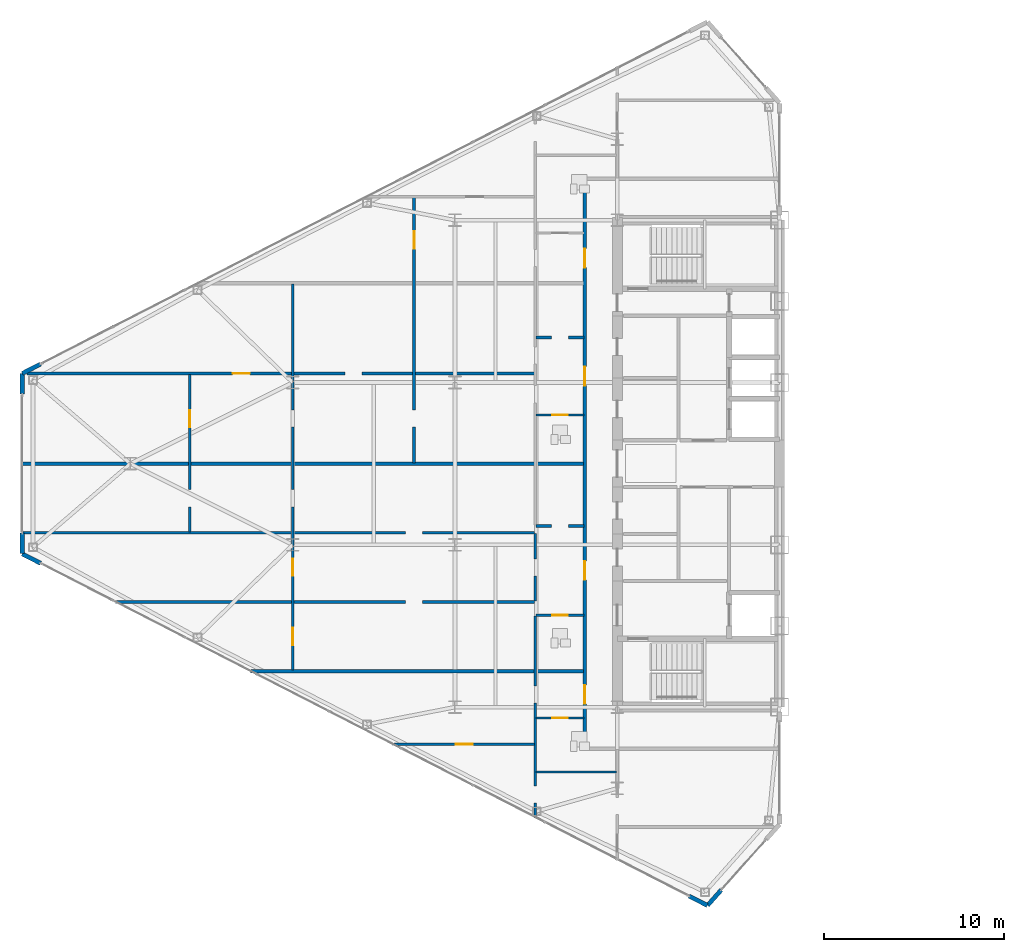
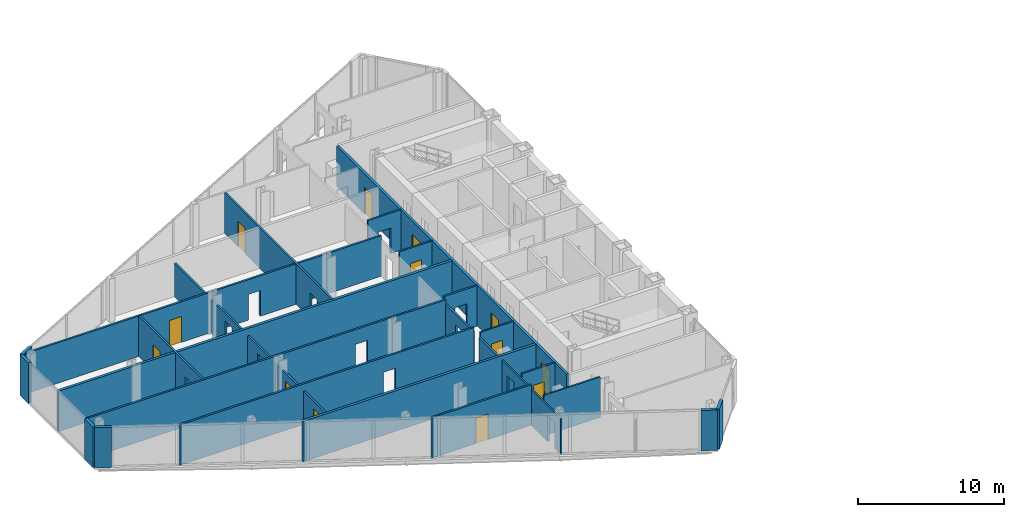
# One storey, part 15 of 23: 24 walls, 13 doors, 25 openings.
"""IFC4 building model written with IfcOpenShell, lengths in metres."""

from ifc_helpers import new_model, si_unit, direction, frame, frame_2d, origin, place, context, subcontext, project, spatial, rectangle, extrude, source, transform, mapped, material, layer, layer_set, type_object, type_shapes, element, fill, save


model = new_model("IFC4")

# Units and contexts
model_context = context("Model", 3, precision=1e-05, world=origin(), true_north=direction((0.0, 1.0)))
body_context = subcontext(model_context, "Body", "Model", "MODEL_VIEW")
ifc_project = project(units=[si_unit("LENGTHUNIT", "METRE"), si_unit("AREAUNIT", "SQUARE_METRE"), si_unit("VOLUMEUNIT", "CUBIC_METRE"), si_unit("PLANEANGLEUNIT", "RADIAN"), si_unit("MASSUNIT", "GRAM", prefix="KILO")], contexts=[model_context])

# Site, building, storey
site_placement = place(None, origin())
site = spatial("IfcSite", under=ifc_project, at=site_placement, CompositionType="ELEMENT")
building_placement = place(site_placement, origin())
building = spatial("IfcBuilding", under=site, at=building_placement, Name="Seokmaru Belvedere", CompositionType="ELEMENT")
storey_placement = place(building_placement, frame((0.0, 0.0, 147.60009765625)))
storey = spatial("IfcBuildingStorey", under=building, at=storey_placement, Name="L39", CompositionType="ELEMENT", Elevation=147.60009765625)

# Wall, opening, door
ifc_material_1 = material(Name="Fire-Rated Gypsum Shaftwall")
ifc_layer_1 = layer(ifc_material_1, 0.14990234375)
ifc_layer_set_1 = layer_set([ifc_layer_1], Name="Fire-Rated Gypsum Shaftwall")
wall_type_1 = type_object("IfcWallType", Name="Apartment Fire-Acoustic Room Partition 150", PredefinedType="PARTITIONING", material=ifc_layer_set_1)
wall_1_placement = place(storey_placement, frame((-48.97705078125, -15.550048828125, 0.0), z_axis=(0.0, 0.0, 1.0), x_axis=(1.0, 0.0, 0.0)))
wall_1 = element("IfcWall", 1, at=wall_1_placement, inside=storey, type_object=wall_type_1, Name="L39 Interior Partition 005", PredefinedType="PARTITIONING", context=body_context, shape_type="SweptSolid", body=[
    extrude(rectangle(XDim=7.876953125, YDim=0.14990234375, at=frame_2d((3.9384765625, 0.0))), origin(), (0.0, 0.0, 1.0), 3.3798828125),
])
opening_1_placement = place(wall_1_placement, frame((3.506103515625, 0.0, 0.0)))
opening_1 = element("IfcOpeningElement", 2, at=opening_1_placement, cuts=wall_1, Name="Opening D05", PredefinedType="OPENING", context=body_context, shape_type="SweptSolid", body=[
    extrude(rectangle(XDim=0.949951171875, YDim=2.14990234375, at=frame_2d((0.47509765625, 1.074951171875))), frame((0.0, 0.0849609375, 0.0), z_axis=(0.0, -1.0, 0.0), x_axis=(1.0, 0.0, 0.0)), (0.0, 0.0, 1.0), 0.169921875),
])
ifc_material_2 = material(Name="Engineered White Oak Timber", Category="wood")
door_type_1 = type_object("IfcDoorType", Name="Apartment Interior Fire-Rated Oak Door 950x2150", OperationType="NOTDEFINED", PredefinedType="DOOR", material=ifc_material_2)
shared_shape_1 = source(origin(), body_context, "Body", "SweptSolid", [
    extrude(rectangle(XDim=0.949951171875, YDim=2.14990234375, at=frame_2d((0.47509765625, 1.074951171875))), frame((0.0, 0.02490234375, 0.0), z_axis=(0.0, -1.0, 0.0), x_axis=(1.0, 0.0, 0.0)), (0.0, 0.0, 1.0), 0.050048828125),
])
type_shapes(door_type_1, [shared_shape_1])
door_1_placement = place(opening_1_placement, origin())
door_1 = element("IfcDoor", 3, at=door_1_placement, inside=storey, type_object=door_type_1, Name="L39 Interior Door 004", OperationType="SINGLE_SWING_RIGHT", OverallHeight=2.14990234375, OverallWidth=0.949951171875, PredefinedType="DOOR", context=body_context, shape_type="MappedRepresentation", body=[
    mapped(shared_shape_1, transform((0.0, 0.0, 0.0), scale=1.0)),
])
fill(opening_1, door_1)

# Wall, opening
wall_2_placement = place(storey_placement, frame((-64.337890625, -7.669921875, 0.0), z_axis=(0.0, 0.0, 1.0), x_axis=(1.0, 0.0, 0.0)))
wall_2 = element("IfcWall", 4, at=wall_2_placement, inside=storey, type_object=wall_type_1, Name="L39 Interior Partition 012", PredefinedType="PARTITIONING", context=body_context, shape_type="SweptSolid", body=[
    extrude(rectangle(XDim=23.23779296875, YDim=0.14990234375, at=frame_2d((11.618896484375, 0.0))), origin(), (0.0, 0.0, 1.0), 3.3798828125),
])
opening_2_placement = place(wall_2_placement, frame((16.087890625, 0.0, 0.0)))
element("IfcOpeningElement", 5, at=opening_2_placement, cuts=wall_2, Name="L39 Cased Opening 013", PredefinedType="OPENING", context=body_context, shape_type="SweptSolid", body=[
    extrude(rectangle(XDim=0.949951171875, YDim=2.14990234375, at=frame_2d((0.47509765625, 1.074951171875))), frame((0.0, 0.0849609375, 0.0), z_axis=(0.0, -1.0, 0.0), x_axis=(1.0, 0.0, 0.0)), (0.0, 0.0, 1.0), 0.169921875),
])

wall_3_placement = place(storey_placement, frame((-69.534912109375, -3.830078125, 0.0), z_axis=(0.0, 0.0, 1.0), x_axis=(1.0, 0.0, 0.0)))
wall_3 = element("IfcWall", 6, at=wall_3_placement, inside=storey, type_object=wall_type_1, Name="L39 Interior Partition 015", PredefinedType="PARTITIONING", context=body_context, shape_type="SweptSolid", body=[
    extrude(rectangle(XDim=28.434814453125, YDim=0.14990234375, at=frame_2d((14.21728515625, 0.0))), origin(), (0.0, 0.0, 1.0), 3.3798828125),
])
opening_3_placement = place(wall_3_placement, frame((21.284912109375, 0.0, 0.0)))
element("IfcOpeningElement", 7, at=opening_3_placement, cuts=wall_3, Name="L39 Cased Opening 014", PredefinedType="OPENING", context=body_context, shape_type="SweptSolid", body=[
    extrude(rectangle(XDim=0.949951171875, YDim=2.14990234375, at=frame_2d((0.47509765625, 1.074951171875))), frame((0.0, 0.0849609375, 0.0), z_axis=(0.0, -1.0, 0.0), x_axis=(1.0, 0.0, 0.0)), (0.0, 0.0, 1.0), 0.169921875),
])

wall_4_placement = place(storey_placement, frame((-41.0, -3.449951171875, 0.0), z_axis=(0.0, 0.0, 1.0), x_axis=(1.0, 0.0, 0.0)))
wall_4 = element("IfcWall", 8, at=wall_4_placement, inside=storey, type_object=wall_type_1, Name="L39 Interior Partition 016", PredefinedType="PARTITIONING", context=body_context, shape_type="SweptSolid", body=[
    extrude(rectangle(XDim=2.64990234375, YDim=0.14990234375, at=frame_2d((1.324951171875, 0.0))), origin(), (0.0, 0.0, 1.0), 3.3798828125),
])
opening_4_placement = place(wall_4_placement, frame((0.85009765625, 0.0, 0.0)))
element("IfcOpeningElement", 9, at=opening_4_placement, cuts=wall_4, Name="L39 Cased Opening 010", PredefinedType="OPENING", context=body_context, shape_type="SweptSolid", body=[
    extrude(rectangle(XDim=0.949951171875, YDim=2.14990234375, at=frame_2d((0.47509765625, 1.074951171875))), frame((0.0, 0.0849609375, 0.0), z_axis=(0.0, -1.0, 0.0), x_axis=(1.0, 0.0, 0.0)), (0.0, 0.0, 1.0), 0.169921875),
])

# Wall, openings, door
wall_5_placement = place(storey_placement, frame((-69.226318359375, 5.0, 0.0), z_axis=(0.0, 0.0, 1.0), x_axis=(1.0, 0.0, 0.0)))
wall_5 = element("IfcWall", 10, at=wall_5_placement, inside=storey, type_object=wall_type_1, Name="L39 Interior Partition 022", PredefinedType="PARTITIONING", context=body_context, shape_type="SweptSolid", body=[
    extrude(rectangle(XDim=28.126220703125, YDim=0.14990234375, at=frame_2d((14.06298828125, 0.0))), origin(), (0.0, 0.0, 1.0), 3.3798828125),
])
opening_5_placement = place(wall_5_placement, frame((11.4013671875, 0.0, 0.0)))
opening_5 = element("IfcOpeningElement", 11, at=opening_5_placement, cuts=wall_5, Name="Opening D05", PredefinedType="OPENING", context=body_context, shape_type="SweptSolid", body=[
    extrude(rectangle(XDim=0.949951171875, YDim=2.14990234375, at=frame_2d((0.47509765625, 1.074951171875))), frame((0.0, 0.0849609375, 0.0), z_axis=(0.0, -1.0, 0.0), x_axis=(1.0, 0.0, 0.0)), (0.0, 0.0, 1.0), 0.169921875),
])
opening_6_placement = place(wall_5_placement, frame((17.61376953125, 0.0, 0.0)))
element("IfcOpeningElement", 12, at=opening_6_placement, cuts=wall_5, Name="L39 Cased Opening 027", PredefinedType="OPENING", context=body_context, shape_type="SweptSolid", body=[
    extrude(rectangle(XDim=0.949951171875, YDim=2.14990234375, at=frame_2d((0.47509765625, 1.074951171875))), frame((0.0, 0.0849609375, 0.0), z_axis=(0.0, -1.0, 0.0), x_axis=(1.0, 0.0, 0.0)), (0.0, 0.0, 1.0), 0.169921875),
])
door_2_placement = place(opening_5_placement, origin())
door_2 = element("IfcDoor", 13, at=door_2_placement, inside=storey, type_object=door_type_1, Name="L39 Interior Door 026", OperationType="SINGLE_SWING_RIGHT", OverallHeight=2.14990234375, OverallWidth=0.949951171875, PredefinedType="DOOR", context=body_context, shape_type="MappedRepresentation", body=[
    mapped(shared_shape_1, transform((0.0, 0.0, 0.0), scale=1.0)),
])
fill(opening_5, door_2)

# Wall, opening
wall_6_placement = place(storey_placement, frame((-41.0, 7.0, 0.0), z_axis=(0.0, 0.0, 1.0), x_axis=(1.0, 0.0, 0.0)))
wall_6 = element("IfcWall", 14, at=wall_6_placement, inside=storey, type_object=wall_type_1, Name="L39 Interior Partition 025", PredefinedType="PARTITIONING", context=body_context, shape_type="SweptSolid", body=[
    extrude(rectangle(XDim=2.64990234375, YDim=0.14990234375, at=frame_2d((1.324951171875, 0.0))), origin(), (0.0, 0.0, 1.0), 3.3798828125),
])
opening_7_placement = place(wall_6_placement, frame((0.85009765625, 0.0, 0.0)))
element("IfcOpeningElement", 15, at=opening_7_placement, cuts=wall_6, Name="L39 Cased Opening 020", PredefinedType="OPENING", context=body_context, shape_type="SweptSolid", body=[
    extrude(rectangle(XDim=0.949951171875, YDim=2.14990234375, at=frame_2d((0.47509765625, 1.074951171875))), frame((0.0, 0.0849609375, 0.0), z_axis=(0.0, -1.0, 0.0), x_axis=(1.0, 0.0, 0.0)), (0.0, 0.0, 1.0), 0.169921875),
])

# Wall, openings, door
wall_7_placement = place(storey_placement, frame((-60.199951171875, -3.782958984375, 0.0), z_axis=(0.0, 0.0, 1.0), x_axis=(0.0, 1.0, 0.0)))
wall_7 = element("IfcWall", 16, at=wall_7_placement, inside=storey, type_object=wall_type_1, Name="L39 Interior Partition 034", PredefinedType="PARTITIONING", context=body_context, shape_type="SweptSolid", body=[
    extrude(rectangle(XDim=8.73291015625, YDim=0.14990234375, at=frame_2d((4.366455078125, 0.0))), origin(), (0.0, 0.0, 1.0), 3.3798828125),
])
opening_8_placement = place(wall_7_placement, frame((1.391357421875, 0.0, 0.0)))
element("IfcOpeningElement", 17, at=opening_8_placement, cuts=wall_7, Name="L39 Cased Opening 017", PredefinedType="OPENING", context=body_context, shape_type="SweptSolid", body=[
    extrude(rectangle(XDim=0.949951171875, YDim=2.14990234375, at=frame_2d((0.47509765625, 1.074951171875))), frame((0.0, 0.0849609375, 0.0), z_axis=(0.0, -1.0, 0.0), x_axis=(1.0, 0.0, 0.0)), (0.0, 0.0, 1.0), 0.169921875),
])
opening_9_placement = place(wall_7_placement, frame((5.80810546875, 0.0, 0.0)))
opening_9 = element("IfcOpeningElement", 18, at=opening_9_placement, cuts=wall_7, Name="Opening D05", PredefinedType="OPENING", context=body_context, shape_type="SweptSolid", body=[
    extrude(rectangle(XDim=0.949951171875, YDim=2.14990234375, at=frame_2d((0.47509765625, 1.074951171875))), frame((0.0, 0.0849609375, 0.0), z_axis=(0.0, -1.0, 0.0), x_axis=(1.0, 0.0, 0.0)), (0.0, 0.0, 1.0), 0.169921875),
])
door_3_placement = place(opening_9_placement, origin())
door_3 = element("IfcDoor", 19, at=door_3_placement, inside=storey, type_object=door_type_1, Name="L39 Interior Door 025", OperationType="SINGLE_SWING_RIGHT", OverallHeight=2.14990234375, OverallWidth=0.949951171875, PredefinedType="DOOR", context=body_context, shape_type="MappedRepresentation", body=[
    mapped(shared_shape_1, transform((0.0, 0.0, 0.0), scale=1.0)),
])
fill(opening_9, door_3)

# Wall, openings, doors
wall_8_placement = place(storey_placement, frame((-54.5, -11.449951171875, 0.0), z_axis=(0.0, 0.0, 1.0), x_axis=(0.0, 1.0, 0.0)))
wall_8 = element("IfcWall", 20, at=wall_8_placement, inside=storey, type_object=wall_type_1, Name="L39 Interior Partition 035", PredefinedType="PARTITIONING", context=body_context, shape_type="SweptSolid", body=[
    extrude(rectangle(XDim=21.39990234375, YDim=0.14990234375, at=frame_2d((10.699951171875, 0.0))), origin(), (0.0, 0.0, 1.0), 2.77978515625),
])
opening_10_placement = place(wall_8_placement, frame((5.22509765625, 0.0, 0.0)))
opening_10 = element("IfcOpeningElement", 21, at=opening_10_placement, cuts=wall_8, Name="Opening D05", PredefinedType="OPENING", context=body_context, shape_type="SweptSolid", body=[
    extrude(rectangle(XDim=0.949951171875, YDim=2.14990234375, at=frame_2d((0.47509765625, 1.074951171875))), frame((0.0, 0.0849609375, 0.0), z_axis=(0.0, -1.0, 0.0), x_axis=(1.0, 0.0, 0.0)), (0.0, 0.0, 1.0), 0.169921875),
])
opening_11_placement = place(wall_8_placement, frame((1.3916015625, 0.0, 0.0)))
opening_11 = element("IfcOpeningElement", 22, at=opening_11_placement, cuts=wall_8, Name="Opening D05", PredefinedType="OPENING", context=body_context, shape_type="SweptSolid", body=[
    extrude(rectangle(XDim=0.949951171875, YDim=2.14990234375, at=frame_2d((0.47509765625, 1.074951171875))), frame((0.0, 0.0849609375, 0.0), z_axis=(0.0, -1.0, 0.0), x_axis=(1.0, 0.0, 0.0)), (0.0, 0.0, 1.0), 0.169921875),
])
opening_12_placement = place(wall_8_placement, frame((9.058349609375, 0.0, 0.0)))
element("IfcOpeningElement", 23, at=opening_12_placement, cuts=wall_8, Name="L39 Cased Opening 016", PredefinedType="OPENING", context=body_context, shape_type="SweptSolid", body=[
    extrude(rectangle(XDim=0.949951171875, YDim=2.14990234375, at=frame_2d((0.47509765625, 1.074951171875))), frame((0.0, 0.0849609375, 0.0), z_axis=(0.0, -1.0, 0.0), x_axis=(1.0, 0.0, 0.0)), (0.0, 0.0, 1.0), 0.169921875),
])
opening_13_placement = place(wall_8_placement, frame((13.47509765625, 0.0, 0.0)))
element("IfcOpeningElement", 24, at=opening_13_placement, cuts=wall_8, Name="L39 Cased Opening 024", PredefinedType="OPENING", context=body_context, shape_type="SweptSolid", body=[
    extrude(rectangle(XDim=0.949951171875, YDim=2.14990234375, at=frame_2d((0.47509765625, 1.074951171875))), frame((0.0, 0.0849609375, 0.0), z_axis=(0.0, -1.0, 0.0), x_axis=(1.0, 0.0, 0.0)), (0.0, 0.0, 1.0), 0.169921875),
])
door_4_placement = place(opening_10_placement, origin())
door_4 = element("IfcDoor", 25, at=door_4_placement, inside=storey, type_object=door_type_1, Name="L39 Interior Door 012", OperationType="SINGLE_SWING_LEFT", OverallHeight=2.14990234375, OverallWidth=0.949951171875, PredefinedType="DOOR", context=body_context, shape_type="MappedRepresentation", body=[
    mapped(shared_shape_1, transform((0.0, 0.0, 0.0), scale=1.0)),
])
fill(opening_10, door_4)
door_5_placement = place(opening_11_placement, origin())
door_5 = element("IfcDoor", 26, at=door_5_placement, inside=storey, type_object=door_type_1, Name="L39 Interior Door 015", OperationType="SINGLE_SWING_LEFT", OverallHeight=2.14990234375, OverallWidth=0.949951171875, PredefinedType="DOOR", context=body_context, shape_type="MappedRepresentation", body=[
    mapped(shared_shape_1, transform((0.0, 0.0, 0.0), scale=1.0)),
])
fill(opening_11, door_5)

# Wall, openings, door
wall_9_placement = place(storey_placement, frame((-47.77001953125, 0.050048828125, 0.0), z_axis=(0.0, 0.0, 1.0), x_axis=(0.0, 1.0, 0.0)))
wall_9 = element("IfcWall", 27, at=wall_9_placement, inside=storey, type_object=wall_type_1, Name="L39 Interior Partition 036", PredefinedType="PARTITIONING", context=body_context, shape_type="SweptSolid", body=[
    extrude(rectangle(XDim=14.699951171875, YDim=0.14990234375, at=frame_2d((7.35009765625, 0.0))), origin(), (0.0, 0.0, 1.0), 3.3798828125),
])
opening_14_placement = place(wall_9_placement, frame((1.97509765625, 0.0, 0.0)))
element("IfcOpeningElement", 28, at=opening_14_placement, cuts=wall_9, Name="L39 Cased Opening 023", PredefinedType="OPENING", context=body_context, shape_type="SweptSolid", body=[
    extrude(rectangle(XDim=0.949951171875, YDim=2.14990234375, at=frame_2d((0.47509765625, 1.074951171875))), frame((0.0, 0.0849609375, 0.0), z_axis=(0.0, -1.0, 0.0), x_axis=(1.0, 0.0, 0.0)), (0.0, 0.0, 1.0), 0.169921875),
])
opening_15_placement = place(wall_9_placement, frame((11.874755859375, 0.0, 0.0)))
opening_15 = element("IfcOpeningElement", 29, at=opening_15_placement, cuts=wall_9, Name="Opening D05", PredefinedType="OPENING", context=body_context, shape_type="SweptSolid", body=[
    extrude(rectangle(XDim=0.949951171875, YDim=2.14990234375, at=frame_2d((0.47509765625, 1.074951171875))), frame((0.0, 0.0849609375, 0.0), z_axis=(0.0, -1.0, 0.0), x_axis=(1.0, 0.0, 0.0)), (0.0, 0.0, 1.0), 0.169921875),
])
door_6_placement = place(opening_15_placement, origin())
door_6 = element("IfcDoor", 30, at=door_6_placement, inside=storey, type_object=door_type_1, Name="L39 Interior Door 031", OperationType="SINGLE_SWING_RIGHT", OverallHeight=2.14990234375, OverallWidth=0.949951171875, PredefinedType="DOOR", context=body_context, shape_type="MappedRepresentation", body=[
    mapped(shared_shape_1, transform((0.0, 0.0, 0.0), scale=1.0)),
])
fill(opening_15, door_6)

# Wall, opening
wall_10_placement = place(storey_placement, frame((-41.050048828125, -7.616943359375, 0.0), z_axis=(0.0, 0.0, 1.0), x_axis=(0.0, 1.0, 0.0)))
wall_10 = element("IfcWall", 31, at=wall_10_placement, inside=storey, type_object=wall_type_1, Name="L39 Interior Partition 038", PredefinedType="PARTITIONING", context=body_context, shape_type="SweptSolid", body=[
    extrude(rectangle(XDim=3.73388671875, YDim=0.14990234375, at=frame_2d((1.866943359375, 0.0))), origin(), (0.0, 0.0, 1.0), 2.989990234375),
])
opening_16_placement = place(wall_10_placement, frame((1.39208984375, 0.0, 0.0)))
element("IfcOpeningElement", 32, at=opening_16_placement, cuts=wall_10, Name="L39 Cased Opening 011", PredefinedType="OPENING", context=body_context, shape_type="SweptSolid", body=[
    extrude(rectangle(XDim=0.949951171875, YDim=2.14990234375, at=frame_2d((0.47509765625, 1.074951171875))), frame((0.0, 0.0849609375, 0.0), z_axis=(0.0, -1.0, 0.0), x_axis=(1.0, 0.0, 0.0)), (0.0, 0.0, 1.0), 0.169921875),
])

# Walls
ifc_layer_2 = layer(ifc_material_1, 0.199951171875)
ifc_layer_set_2 = layer_set([ifc_layer_2], Name="Fire-Rated Gypsum Shaftwall")
wall_type_2 = type_object("IfcWallType", Name="Inter-Tenancy Fire Compartment Partition 200", PredefinedType="PARTITIONING", material=ifc_layer_set_2)
wall_11_placement = place(storey_placement, frame((-56.843994140625, -11.5, 0.0), z_axis=(0.0, 0.0, 1.0), x_axis=(1.0, 0.0, 0.0)))
element("IfcWall", 33, at=wall_11_placement, inside=storey, type_object=wall_type_2, Name="L39 Interior Partition 007", PredefinedType="PARTITIONING", context=body_context, shape_type="SweptSolid", body=[
    extrude(rectangle(XDim=18.464111328125, YDim=0.199951171875, at=frame_2d((9.23193359375, 0.0))), origin(), (0.0, 0.0, 1.0), 3.3798828125),
])
wall_12_placement = place(storey_placement, frame((-69.5048828125, 0.0, 0.0), z_axis=(0.0, 0.0, 1.0), x_axis=(1.0, 0.0, 0.0)))
element("IfcWall", 34, at=wall_12_placement, inside=storey, type_object=wall_type_2, Name="L39 Interior Partition 018", PredefinedType="PARTITIONING", context=body_context, shape_type="SweptSolid", body=[
    extrude(rectangle(XDim=31.125, YDim=0.199951171875, at=frame_2d((15.5625, 0.0))), origin(), (0.0, 0.0, 1.0), 3.3798828125),
])

# Wall, openings, doors
wall_13_placement = place(storey_placement, frame((-38.300048828125, -15.715087890625, 0.0), z_axis=(0.0, 0.0, 1.0), x_axis=(0.0, 1.0, 0.0)))
wall_13 = element("IfcWall", 35, at=wall_13_placement, inside=storey, type_object=wall_type_2, Name="L39 Interior Partition 040", PredefinedType="PARTITIONING", context=body_context, shape_type="SweptSolid", body=[
    extrude(rectangle(XDim=31.43017578125, YDim=0.199951171875, at=frame_2d((15.715087890625, 0.0))), origin(), (0.0, 0.0, 1.0), 3.3798828125),
])
opening_17_placement = place(wall_13_placement, frame((2.389892578125, 0.0, 0.0)))
opening_17 = element("IfcOpeningElement", 36, at=opening_17_placement, cuts=wall_13, Name="Opening D03", PredefinedType="OPENING", context=body_context, shape_type="SweptSolid", body=[
    extrude(rectangle(XDim=1.050048828125, YDim=2.25, at=frame_2d((0.52490234375, 1.125))), frame((0.0, 0.10986328125, 0.0), z_axis=(0.0, -1.0, 0.0), x_axis=(1.0, 0.0, 0.0)), (0.0, 0.0, 1.0), 0.219970703125),
])
opening_18_placement = place(wall_13_placement, frame((9.267578125, 0.0, 0.0)))
opening_18 = element("IfcOpeningElement", 37, at=opening_18_placement, cuts=wall_13, Name="Opening D03", PredefinedType="OPENING", context=body_context, shape_type="SweptSolid", body=[
    extrude(rectangle(XDim=1.050048828125, YDim=2.25, at=frame_2d((0.52490234375, 1.125))), frame((0.0, 0.10986328125, 0.0), z_axis=(0.0, -1.0, 0.0), x_axis=(1.0, 0.0, 0.0)), (0.0, 0.0, 1.0), 0.219970703125),
])
opening_19_placement = place(wall_13_placement, frame((20.0400390625, 0.0, 0.0)))
opening_19 = element("IfcOpeningElement", 38, at=opening_19_placement, cuts=wall_13, Name="Opening D03", PredefinedType="OPENING", context=body_context, shape_type="SweptSolid", body=[
    extrude(rectangle(XDim=1.050048828125, YDim=2.25, at=frame_2d((0.52490234375, 1.125))), frame((0.0, 0.10986328125, 0.0), z_axis=(0.0, -1.0, 0.0), x_axis=(1.0, 0.0, 0.0)), (0.0, 0.0, 1.0), 0.219970703125),
])
opening_20_placement = place(wall_13_placement, frame((26.58740234375, 0.0, 0.0)))
opening_20 = element("IfcOpeningElement", 39, at=opening_20_placement, cuts=wall_13, Name="Opening D03", PredefinedType="OPENING", context=body_context, shape_type="SweptSolid", body=[
    extrude(rectangle(XDim=1.050048828125, YDim=2.25, at=frame_2d((0.52490234375, 1.125))), frame((0.0, 0.10986328125, 0.0), z_axis=(0.0, -1.0, 0.0), x_axis=(1.0, 0.0, 0.0)), (0.0, 0.0, 1.0), 0.219970703125),
])
ifc_material_3 = material(Name="Fire-Rated Steel Leaf", Category="steel")
door_type_2 = type_object("IfcDoorType", Name="Apartment Entrance Fire Door 1050x2250", OperationType="NOTDEFINED", PredefinedType="DOOR", material=ifc_material_3)
shared_shape_2 = source(origin(), body_context, "Body", "SweptSolid", [
    extrude(rectangle(XDim=1.050048828125, YDim=2.25, at=frame_2d((0.52490234375, 1.125))), frame((0.0, 0.02490234375, 0.0), z_axis=(0.0, -1.0, 0.0), x_axis=(1.0, 0.0, 0.0)), (0.0, 0.0, 1.0), 0.050048828125),
])
type_shapes(door_type_2, [shared_shape_2])
door_7_placement = place(opening_17_placement, origin())
door_7 = element("IfcDoor", 40, at=door_7_placement, inside=storey, type_object=door_type_2, Name="L39 Interior Door 001", OperationType="SINGLE_SWING_RIGHT", OverallHeight=2.25, OverallWidth=1.050048828125, PredefinedType="DOOR", context=body_context, shape_type="MappedRepresentation", body=[
    mapped(shared_shape_2, transform((0.0, 0.0, 0.0), scale=1.0)),
])
fill(opening_17, door_7)
door_8_placement = place(opening_18_placement, origin())
door_8 = element("IfcDoor", 41, at=door_8_placement, inside=storey, type_object=door_type_2, Name="L39 Interior Door 008", OperationType="SINGLE_SWING_LEFT", OverallHeight=2.25, OverallWidth=1.050048828125, PredefinedType="DOOR", context=body_context, shape_type="MappedRepresentation", body=[
    mapped(shared_shape_2, transform((0.0, 0.0, 0.0), scale=1.0)),
])
fill(opening_18, door_8)
door_9_placement = place(opening_19_placement, origin())
door_9 = element("IfcDoor", 42, at=door_9_placement, inside=storey, type_object=door_type_2, Name="L39 Interior Door 018", OperationType="SINGLE_SWING_RIGHT", OverallHeight=2.25, OverallWidth=1.050048828125, PredefinedType="DOOR", context=body_context, shape_type="MappedRepresentation", body=[
    mapped(shared_shape_2, transform((0.0, 0.0, 0.0), scale=1.0)),
])
fill(opening_19, door_9)
door_10_placement = place(opening_20_placement, origin())
door_10 = element("IfcDoor", 43, at=door_10_placement, inside=storey, type_object=door_type_2, Name="L39 Interior Door 028", OperationType="SINGLE_SWING_LEFT", OverallHeight=2.25, OverallWidth=1.050048828125, PredefinedType="DOOR", context=body_context, shape_type="MappedRepresentation", body=[
    mapped(shared_shape_2, transform((0.0, 0.0, 0.0), scale=1.0)),
])
fill(opening_20, door_10)

# Wall
ifc_layer_3 = layer(ifc_material_1, 0.1298828125)
ifc_layer_set_3 = layer_set([ifc_layer_3], Name="Fire-Rated Gypsum Shaftwall")
wall_type_3 = type_object("IfcWallType", Name="Moisture-Resistant Fire-Rated Bathroom Partition 130", PredefinedType="PARTITIONING", material=ifc_layer_set_3)
wall_14_placement = place(storey_placement, frame((-41.0, -17.10009765625, 0.0), z_axis=(0.0, 0.0, 1.0), x_axis=(1.0, 0.0, 0.0)))
element("IfcWall", 44, at=wall_14_placement, inside=storey, type_object=wall_type_3, Name="L39 Interior Partition 002", PredefinedType="PARTITIONING", context=body_context, shape_type="SweptSolid", body=[
    extrude(rectangle(XDim=4.449951171875, YDim=0.1298828125, at=frame_2d((2.22509765625, 0.0))), origin(), (0.0, 0.0, 1.0), 3.3798828125),
])

# Wall, opening, door
wall_15_placement = place(storey_placement, frame((-41.0, -14.10009765625, 0.0), z_axis=(0.0, 0.0, 1.0), x_axis=(1.0, 0.0, 0.0)))
wall_15 = element("IfcWall", 45, at=wall_15_placement, inside=storey, type_object=wall_type_3, Name="L39 Interior Partition 006", PredefinedType="PARTITIONING", context=body_context, shape_type="SweptSolid", body=[
    extrude(rectangle(XDim=2.64990234375, YDim=0.1298828125, at=frame_2d((1.324951171875, 0.0))), origin(), (0.0, 0.0, 1.0), 3.3798828125),
])
opening_21_placement = place(wall_15_placement, frame((0.885009765625, 0.0, 0.0)))
opening_21 = element("IfcOpeningElement", 46, at=opening_21_placement, cuts=wall_15, Name="Opening D06", PredefinedType="OPENING", context=body_context, shape_type="SweptSolid", body=[
    extrude(rectangle(XDim=0.8798828125, YDim=2.10009765625, at=frame_2d((0.43994140625, 1.050048828125))), frame((0.0, 0.074951171875, 0.0), z_axis=(0.0, -1.0, 0.0), x_axis=(1.0, 0.0, 0.0)), (0.0, 0.0, 1.0), 0.14990234375),
])
door_type_3 = type_object("IfcDoorType", Name="Bathroom and Restroom Fire-Rated Door 880x2100", OperationType="NOTDEFINED", PredefinedType="DOOR", material=ifc_material_2)
shared_shape_3 = source(origin(), body_context, "Body", "SweptSolid", [
    extrude(rectangle(XDim=0.8798828125, YDim=2.10009765625, at=frame_2d((0.43994140625, 1.050048828125))), frame((0.0, 0.02490234375, 0.0), z_axis=(0.0, -1.0, 0.0), x_axis=(1.0, 0.0, 0.0)), (0.0, 0.0, 1.0), 0.050048828125),
])
type_shapes(door_type_3, [shared_shape_3])
door_11_placement = place(opening_21_placement, origin())
door_11 = element("IfcDoor", 47, at=door_11_placement, inside=storey, type_object=door_type_3, Name="L39 Interior Door 002", OperationType="SINGLE_SWING_LEFT", OverallHeight=2.10009765625, OverallWidth=0.8798828125, PredefinedType="DOOR", context=body_context, shape_type="MappedRepresentation", body=[
    mapped(shared_shape_3, transform((0.0, 0.0, 0.0), scale=1.0)),
])
fill(opening_21, door_11)

wall_16_placement = place(storey_placement, frame((-41.0, -8.39990234375, 0.0), z_axis=(0.0, 0.0, 1.0), x_axis=(1.0, 0.0, 0.0)))
wall_16 = element("IfcWall", 48, at=wall_16_placement, inside=storey, type_object=wall_type_3, Name="L39 Interior Partition 010", PredefinedType="PARTITIONING", context=body_context, shape_type="SweptSolid", body=[
    extrude(rectangle(XDim=2.64990234375, YDim=0.1298828125, at=frame_2d((1.324951171875, 0.0))), origin(), (0.0, 0.0, 1.0), 3.3798828125),
])
opening_22_placement = place(wall_16_placement, frame((0.885009765625, 0.0, 0.0)))
opening_22 = element("IfcOpeningElement", 49, at=opening_22_placement, cuts=wall_16, Name="Opening D06", PredefinedType="OPENING", context=body_context, shape_type="SweptSolid", body=[
    extrude(rectangle(XDim=0.8798828125, YDim=2.10009765625, at=frame_2d((0.43994140625, 1.050048828125))), frame((0.0, 0.074951171875, 0.0), z_axis=(0.0, -1.0, 0.0), x_axis=(1.0, 0.0, 0.0)), (0.0, 0.0, 1.0), 0.14990234375),
])
door_12_placement = place(opening_22_placement, origin())
door_12 = element("IfcDoor", 50, at=door_12_placement, inside=storey, type_object=door_type_3, Name="L39 Interior Door 009", OperationType="SINGLE_SWING_LEFT", OverallHeight=2.10009765625, OverallWidth=0.8798828125, PredefinedType="DOOR", context=body_context, shape_type="MappedRepresentation", body=[
    mapped(shared_shape_3, transform((0.0, 0.0, 0.0), scale=1.0)),
])
fill(opening_22, door_12)

wall_17_placement = place(storey_placement, frame((-41.0, 2.699951171875, 0.0), z_axis=(0.0, 0.0, 1.0), x_axis=(1.0, 0.0, 0.0)))
wall_17 = element("IfcWall", 51, at=wall_17_placement, inside=storey, type_object=wall_type_3, Name="L39 Interior Partition 021", PredefinedType="PARTITIONING", context=body_context, shape_type="SweptSolid", body=[
    extrude(rectangle(XDim=2.64990234375, YDim=0.1298828125, at=frame_2d((1.324951171875, 0.0))), origin(), (0.0, 0.0, 1.0), 3.3798828125),
])
opening_23_placement = place(wall_17_placement, frame((0.885009765625, 0.0, 0.0)))
opening_23 = element("IfcOpeningElement", 52, at=opening_23_placement, cuts=wall_17, Name="Opening D06", PredefinedType="OPENING", context=body_context, shape_type="SweptSolid", body=[
    extrude(rectangle(XDim=0.8798828125, YDim=2.10009765625, at=frame_2d((0.43994140625, 1.050048828125))), frame((0.0, 0.074951171875, 0.0), z_axis=(0.0, -1.0, 0.0), x_axis=(1.0, 0.0, 0.0)), (0.0, 0.0, 1.0), 0.14990234375),
])
door_13_placement = place(opening_23_placement, origin())
door_13 = element("IfcDoor", 53, at=door_13_placement, inside=storey, type_object=door_type_3, Name="L39 Interior Door 019", OperationType="SINGLE_SWING_LEFT", OverallHeight=2.10009765625, OverallWidth=0.8798828125, PredefinedType="DOOR", context=body_context, shape_type="MappedRepresentation", body=[
    mapped(shared_shape_3, transform((0.0, 0.0, 0.0), scale=1.0)),
])
fill(opening_23, door_13)

# Wall, openings
wall_18_placement = place(storey_placement, frame((-41.050048828125, -19.634033203125, 0.0), z_axis=(0.0, 0.0, 1.0), x_axis=(0.0, 1.0, 0.0)))
wall_18 = element("IfcWall", 54, at=wall_18_placement, inside=storey, type_object=wall_type_3, Name="L39 Interior Partition 037", PredefinedType="PARTITIONING", context=body_context, shape_type="SweptSolid", body=[
    extrude(rectangle(XDim=11.18701171875, YDim=0.1298828125, at=frame_2d((5.593505859375, 0.0))), origin(), (0.0, 0.0, 1.0), 2.989990234375),
])
opening_24_placement = place(wall_18_placement, frame((6.35888671875, 0.0, 0.0)))
element("IfcOpeningElement", 55, at=opening_24_placement, cuts=wall_18, Name="L39 Cased Opening 003", PredefinedType="OPENING", context=body_context, shape_type="SweptSolid", body=[
    extrude(rectangle(XDim=0.949951171875, YDim=2.14990234375, at=frame_2d((0.47509765625, 1.074951171875))), frame((0.0, 0.074951171875, 0.0), z_axis=(0.0, -1.0, 0.0), x_axis=(1.0, 0.0, 0.0)), (0.0, 0.0, 1.0), 0.14990234375),
])
opening_25_placement = place(wall_18_placement, frame((0.809326171875, 0.0, 0.0)))
element("IfcOpeningElement", 56, at=opening_25_placement, cuts=wall_18, Name="L39 Cased Opening 005", PredefinedType="OPENING", context=body_context, shape_type="SweptSolid", body=[
    extrude(rectangle(XDim=0.949951171875, YDim=2.14990234375, at=frame_2d((0.47509765625, 1.074951171875))), frame((0.0, 0.074951171875, 0.0), z_axis=(0.0, -1.0, 0.0), x_axis=(1.0, 0.0, 0.0)), (0.0, 0.0, 1.0), 0.14990234375),
])

# Walls
ifc_material_4 = material(Name="Anodised Bronze Aluminium", Category="aluminium")
ifc_layer_4 = layer(ifc_material_4, 0.239990234375)
ifc_layer_set_4 = layer_set([ifc_layer_4], Name="Anodised Bronze Aluminium")
wall_type_4 = type_object("IfcWallType", Name="Tower Corner Spandrel Closure Wall 240", PredefinedType="SOLIDWALL", material=ifc_layer_set_4)
wall_19_placement = place(storey_placement, frame((-68.476806640625, 5.52490234375, 0.0), z_axis=(0.0, 0.0, 1.0), x_axis=(-0.889797395748, -0.456355776255, 0.0)))
element("IfcWall", 57, at=wall_19_placement, inside=storey, type_object=wall_type_4, Name="L39 W Corner Closure Pier 3B", PredefinedType="SOLIDWALL", context=body_context, shape_type="SweptSolid", body=[
    extrude(rectangle(XDim=1.14013671875, YDim=0.239990234375, at=frame_2d((0.570068359375, 0.0))), origin(), (0.0, 0.0, 1.0), 3.3798828125),
])
for number, where, z_axis, x_axis, name in (
    (58, (-69.5, 4.989990234375, 0.0), (0.0, 0.0, 1.0), (0.0, -1.0, 0.0), "L39 W Corner Closure Pier 4A"),
    (59, (-69.5, -3.85009765625, 0.0), (0.0, 0.0, 1.0), (0.0, -1.0, 0.0), "L39 W Corner Closure Pier 4B"),
):
    element("IfcWall", number, at=place(storey_placement, frame(where, z_axis=z_axis, x_axis=x_axis)), inside=storey, type_object=wall_type_4, Name=name, PredefinedType="SOLIDWALL", context=body_context, shape_type="SweptSolid", body=[
        extrude(rectangle(XDim=1.139892578125, YDim=0.239990234375, at=frame_2d((0.56982421875, 0.0))), origin(), (0.0, 0.0, 1.0), 3.3798828125),
    ])
for number, where, z_axis, x_axis, name in (
    (60, (-69.4912109375, -5.004638671875, 0.0), (0.0, 0.0, 1.0), (0.889797395748, -0.456355776255, 0.0), "L39 W Corner Closure Pier 5A"),
    (61, (-32.523193359375, -23.97509765625, 0.0), (0.0, 0.0, 1.0), (0.889797395748, -0.456355776255, 0.0), "L39 W Corner Closure Pier 5B"),
):
    element("IfcWall", number, at=place(storey_placement, frame(where, z_axis=z_axis, x_axis=x_axis)), inside=storey, type_object=wall_type_4, Name=name, PredefinedType="SOLIDWALL", context=body_context, shape_type="SweptSolid", body=[
        extrude(rectangle(XDim=1.14013671875, YDim=0.239990234375, at=frame_2d((0.570068359375, 0.0))), origin(), (0.0, 0.0, 1.0), 3.3798828125),
    ])
wall_20_placement = place(storey_placement, frame((-31.493408203125, -24.492431640625, 0.0), z_axis=(0.0, 0.0, 1.0), x_axis=(0.664337252513, 0.747432950119, 0.0)))
element("IfcWall", 62, at=wall_20_placement, inside=storey, type_object=wall_type_4, Name="L39 W Corner Closure Pier 6A", PredefinedType="SOLIDWALL", context=body_context, shape_type="SweptSolid", body=[
    extrude(rectangle(XDim=1.139892578125, YDim=0.239990234375, at=frame_2d((0.56982421875, 0.0))), origin(), (0.0, 0.0, 1.0), 3.3798828125),
])

save(model, "model.ifc")
